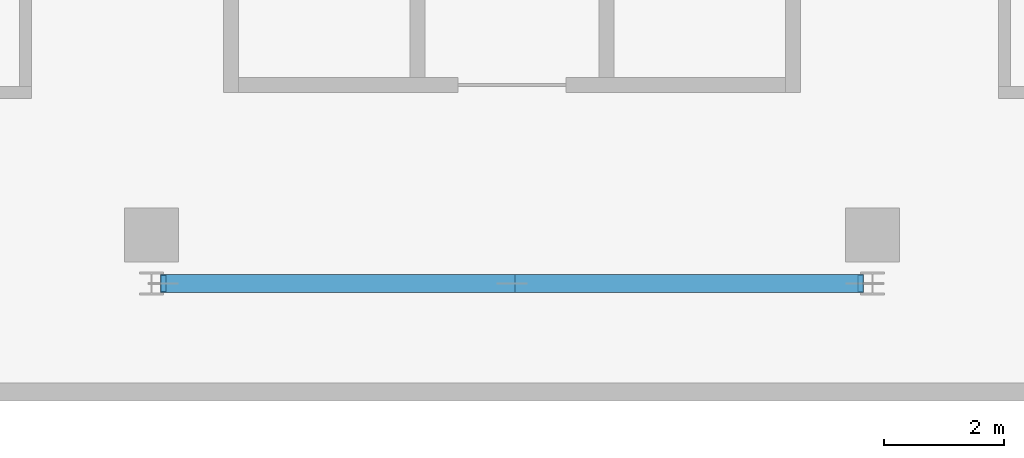
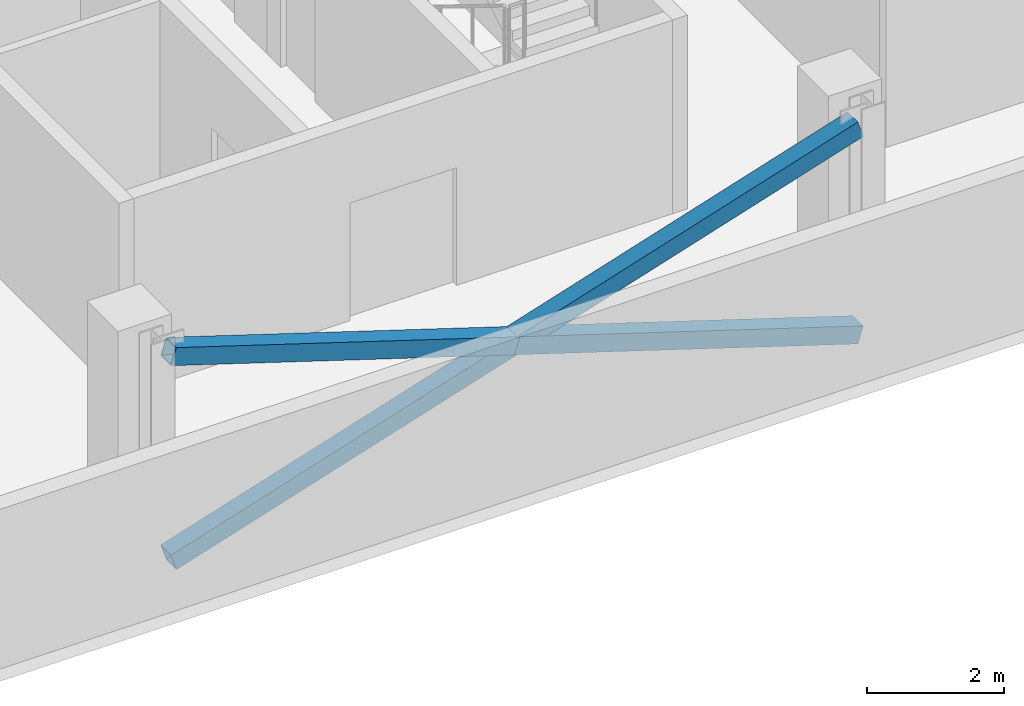
# One storey, part 6 of 30: 3 members.
"""IFC4 building model written with IfcOpenShell, lengths in metres."""

from ifc_helpers import new_model, si_unit, direction, frame, origin, origin_2d, place, context, subcontext, project, spatial, hollow_rectangle, extrude, material, material_profile, profile_set, type_object, element, save


model = new_model("IFC4")

# Units and contexts
model_context = context("Model", 3, precision=1e-05, world=origin(), true_north=direction((0.0, 1.0)))
body_context = subcontext(model_context, "Body", "Model", "MODEL_VIEW")
ifc_project = project(units=[si_unit("LENGTHUNIT", "METRE"), si_unit("AREAUNIT", "SQUARE_METRE"), si_unit("VOLUMEUNIT", "CUBIC_METRE"), si_unit("PLANEANGLEUNIT", "RADIAN"), si_unit("MASSUNIT", "GRAM", prefix="KILO")], contexts=[model_context])

# Site, building, storey
site_placement = place(None, origin())
site = spatial("IfcSite", under=ifc_project, at=site_placement, CompositionType="ELEMENT")
building_placement = place(site_placement, origin())
building = spatial("IfcBuilding", under=site, at=building_placement, Name="Mahtab Terrace Research Tower", CompositionType="ELEMENT")
storey_placement = place(building_placement, frame((0.0, 0.0, 263.300048828125)))
storey = spatial("IfcBuildingStorey", under=building, at=storey_placement, Name="L64", CompositionType="ELEMENT", Elevation=263.300048828125)

# Members
ifc_material = material(Name="Steel ASTM A500 Gr C", Category="steel")
ifc_material_profile = material_profile(ifc_material, hollow_rectangle(XDim=0.3046875, YDim=0.3046875, WallThickness=0.015869140625, at=origin_2d()), Name="HSS12X12X5/8")
ifc_profile_set = profile_set([ifc_material_profile], Name="Steel ASTM A500 Gr C")
member_type = type_object("IfcMemberType", Name="HSS 12x12x5/8 brace XB121258", PredefinedType="BRACE", material=ifc_profile_set)
member_placement = place(storey_placement, frame((-5.80322265625, -12.306884765625, -0.581298828125), z_axis=(0.953344149173, 0.0, 0.301885629399), x_axis=(0.0, 1.0, 0.0)))
element("IfcMember", 1, at=member_placement, inside=storey, type_object=member_type, Name="Exoskeleton brace L64 17 a", PredefinedType="BRACE", context=body_context, shape_type="SweptSolid", body=[
    extrude(hollow_rectangle(XDim=0.3046875, YDim=0.3046875, WallThickness=0.015869140625, at=origin_2d()), origin(), (0.0, 0.0, 1.0), 12.174560546875),
])
for number, where, z_axis, x_axis, name in (
    (2, (5.80322265625, -12.306884765625, -0.581298828125), (-0.953344149173, 0.0, 0.301885629399), (0.0, -1.0, 0.0), "Exoskeleton brace L64 17 b1"),
    (3, (0.0, -12.306884765625, 1.25634765625), (-0.953344149173, 0.0, 0.301885629399), (0.0, -1.0, 0.0), "Exoskeleton brace L64 17 b2"),
):
    element("IfcMember", number, at=place(storey_placement, frame(where, z_axis=z_axis, x_axis=x_axis)), inside=storey, type_object=member_type, Name=name, PredefinedType="BRACE", context=body_context, shape_type="SweptSolid", body=[
        extrude(hollow_rectangle(XDim=0.3046875, YDim=0.3046875, WallThickness=0.015869140625, at=origin_2d()), origin(), (0.0, 0.0, 1.0), 6.087158203125),
    ])

save(model, "model.ifc")
